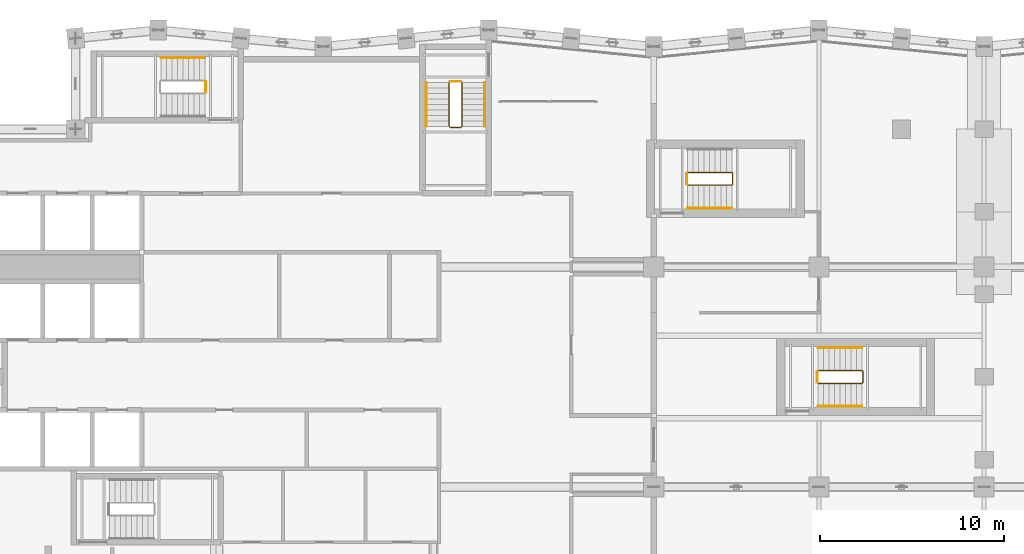
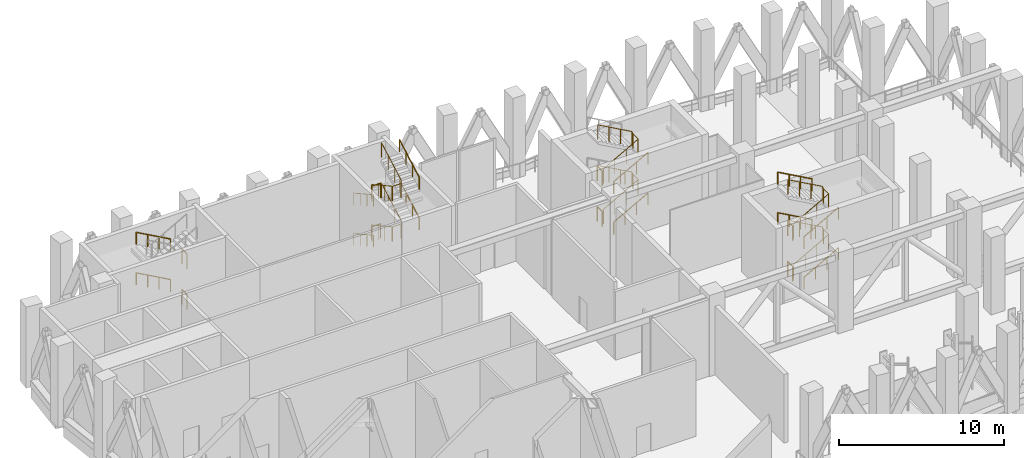
# One storey, part 26 of 28: 26 railings.
"""IFC4 building model written with IfcOpenShell, lengths in metres."""

from ifc_helpers import new_model, si_unit, direction, frame, origin, origin_2d, place, context, subcontext, project, spatial, circle, extrude, material, type_object, element, save


model = new_model("IFC4")

# Units and contexts
model_context = context("Model", 3, precision=1e-05, world=origin(), true_north=direction((0.0, 1.0)))
body_context = subcontext(model_context, "Body", "Model", "MODEL_VIEW")
ifc_project = project(units=[si_unit("LENGTHUNIT", "METRE"), si_unit("AREAUNIT", "SQUARE_METRE"), si_unit("VOLUMEUNIT", "CUBIC_METRE"), si_unit("PLANEANGLEUNIT", "RADIAN"), si_unit("MASSUNIT", "GRAM", prefix="KILO")], contexts=[model_context])

# Site, building, storey
site_placement = place(None, origin())
site = spatial("IfcSite", under=ifc_project, at=site_placement, CompositionType="ELEMENT")
building_placement = place(site_placement, origin())
building = spatial("IfcBuilding", under=site, at=building_placement, Name="Brondeck Convention Tower", CompositionType="ELEMENT")
storey_placement = place(building_placement, frame((0.0, 0.0, 192.800048828125)))
storey = spatial("IfcBuildingStorey", under=building, at=storey_placement, Name="L47", CompositionType="ELEMENT", Elevation=192.800048828125)

# Railings
ifc_material = material(Name="Steel S355", Category="steel")
railing_type_1 = type_object("IfcRailingType", Name="Stair guard 1100", PredefinedType="GUARDRAIL", material=ifc_material)
railing_1_placement = place(storey_placement, frame((24.85009765625, 61.050048828125, 0.16650390625)))
element("IfcRailing", 1, at=railing_1_placement, inside=storey, type_object=railing_type_1, Name="L47 ST-2 stair guard 1", PredefinedType="GUARDRAIL", context=body_context, shape_type="SweptSolid", body=[
    extrude(circle(Radius=0.02392578125, at=origin_2d()), frame((0.0, 0.0, 1.076171875), z_axis=(0.0, -0.87414469321, 0.485665579729), x_axis=(1.0, 0.0, 0.0)), (0.0, 0.0, 1.0), 2.74560546875),
    extrude(circle(Radius=0.02392578125, at=origin_2d()), frame((0.0, -2.400146484375, 2.40966796875), z_axis=(0.707106781187, -0.707106781187, 0.0), x_axis=(0.707106781187, 0.707106781187, 0.0)), (0.0, 0.0, 1.0), 0.0703125),
    extrude(circle(Radius=0.02392578125, at=origin_2d()), frame((0.0498046875, -2.449951171875, 2.40966796875), z_axis=(1.0, 0.0, 0.0), x_axis=(0.0, 1.0, 0.0)), (0.0, 0.0, 1.0), 0.60009765625),
    extrude(circle(Radius=0.02392578125, at=origin_2d()), frame((0.64990234375, -2.449951171875, 2.40966796875), z_axis=(0.276732813696, 0.275382897532, 0.920642824102), x_axis=(-0.705375805398, 0.708833529934, 0.0)), (0.0, 0.0, 1.0), 0.180908203125),
    extrude(circle(Radius=0.02392578125, at=origin_2d()), frame((0.699951171875, -2.400146484375, 2.576171875), z_axis=(0.0, 0.87414469321, 0.485665579729), x_axis=(-1.0, 0.0, 0.0)), (0.0, 0.0, 1.0), 2.74560546875),
    extrude(circle(Radius=0.02099609375, at=origin_2d()), origin(), (0.0, 0.0, 1.0), 1.052001953125),
    extrude(circle(Radius=0.02099609375, at=origin_2d()), frame((0.0, -0.800048828125, 0.444580078125)), (0.0, 0.0, 1.0), 1.052001953125),
    extrude(circle(Radius=0.02099609375, at=origin_2d()), frame((0.0, -1.60009765625, 0.888916015625)), (0.0, 0.0, 1.0), 1.052001953125),
    extrude(circle(Radius=0.02099609375, at=origin_2d()), frame((0.0, -2.400146484375, 1.33349609375)), (0.0, 0.0, 1.0), 1.052001953125),
    extrude(circle(Radius=0.02099609375, at=origin_2d()), frame((0.0498046875, -2.449951171875, 1.33349609375)), (0.0, 0.0, 1.0), 1.052001953125),
    extrude(circle(Radius=0.02099609375, at=origin_2d()), frame((0.64990234375, -2.449951171875, 1.33349609375)), (0.0, 0.0, 1.0), 1.052001953125),
    extrude(circle(Radius=0.02099609375, at=origin_2d()), frame((0.699951171875, -2.400146484375, 1.5)), (0.0, 0.0, 1.0), 1.052001953125),
    extrude(circle(Radius=0.02099609375, at=origin_2d()), frame((0.699951171875, -1.60009765625, 1.944580078125)), (0.0, 0.0, 1.0), 1.052001953125),
    extrude(circle(Radius=0.02099609375, at=origin_2d()), frame((0.699951171875, -0.800048828125, 2.388916015625)), (0.0, 0.0, 1.0), 1.052001953125),
    extrude(circle(Radius=0.02099609375, at=origin_2d()), frame((0.699951171875, 0.0, 2.83349609375)), (0.0, 0.0, 1.0), 1.052001953125),
])
railing_2_placement = place(storey_placement, frame((24.89990234375, 61.10009765625, 3.0)))
element("IfcRailing", 2, at=railing_2_placement, inside=storey, type_object=railing_type_1, Name="L47 ST-2 stair guard 2", PredefinedType="GUARDRAIL", context=body_context, shape_type="SweptSolid", body=[
    extrude(circle(Radius=0.02392578125, at=origin_2d()), frame((0.0, 0.0, 1.076171875), z_axis=(1.0, 0.0, 0.0), x_axis=(0.0, 1.0, 0.0)), (0.0, 0.0, 1.0), 0.60009765625),
    extrude(circle(Radius=0.02099609375, at=origin_2d()), origin(), (0.0, 0.0, 1.0), 1.052001953125),
    extrude(circle(Radius=0.02099609375, at=origin_2d()), frame((0.60009765625, 0.0, 0.0)), (0.0, 0.0, 1.0), 1.052001953125),
])
railing_3_placement = place(storey_placement, frame((24.85009765625, 61.050048828125, 3.16650390625)))
element("IfcRailing", 3, at=railing_3_placement, inside=storey, type_object=railing_type_1, Name="L47 ST-2 stair guard 3", PredefinedType="GUARDRAIL", context=body_context, shape_type="SweptSolid", body=[
    extrude(circle(Radius=0.02392578125, at=origin_2d()), frame((0.0, 0.0, 1.076171875), z_axis=(0.0, -0.87414469321, 0.485665579729), x_axis=(1.0, 0.0, 0.0)), (0.0, 0.0, 1.0), 2.74560546875),
    extrude(circle(Radius=0.02392578125, at=origin_2d()), frame((0.0, -2.400146484375, 2.40966796875), z_axis=(0.707106781187, -0.707106781187, 0.0), x_axis=(0.707106781187, 0.707106781187, 0.0)), (0.0, 0.0, 1.0), 0.0703125),
    extrude(circle(Radius=0.02392578125, at=origin_2d()), frame((0.0498046875, -2.449951171875, 2.40966796875), z_axis=(1.0, 0.0, 0.0), x_axis=(0.0, 1.0, 0.0)), (0.0, 0.0, 1.0), 0.60009765625),
    extrude(circle(Radius=0.02392578125, at=origin_2d()), frame((0.64990234375, -2.449951171875, 2.40966796875), z_axis=(0.276732813696, 0.275382897532, 0.920642824102), x_axis=(-0.705375805398, 0.708833529934, 0.0)), (0.0, 0.0, 1.0), 0.180908203125),
    extrude(circle(Radius=0.02392578125, at=origin_2d()), frame((0.699951171875, -2.400146484375, 2.576171875), z_axis=(0.0, 0.87414469321, 0.485665579729), x_axis=(-1.0, 0.0, 0.0)), (0.0, 0.0, 1.0), 2.74560546875),
    extrude(circle(Radius=0.02099609375, at=origin_2d()), origin(), (0.0, 0.0, 1.0), 1.052001953125),
    extrude(circle(Radius=0.02099609375, at=origin_2d()), frame((0.0, -0.800048828125, 0.444580078125)), (0.0, 0.0, 1.0), 1.052001953125),
    extrude(circle(Radius=0.02099609375, at=origin_2d()), frame((0.0, -1.60009765625, 0.888916015625)), (0.0, 0.0, 1.0), 1.052001953125),
    extrude(circle(Radius=0.02099609375, at=origin_2d()), frame((0.0, -2.400146484375, 1.33349609375)), (0.0, 0.0, 1.0), 1.052001953125),
    extrude(circle(Radius=0.02099609375, at=origin_2d()), frame((0.0498046875, -2.449951171875, 1.33349609375)), (0.0, 0.0, 1.0), 1.052001953125),
    extrude(circle(Radius=0.02099609375, at=origin_2d()), frame((0.64990234375, -2.449951171875, 1.33349609375)), (0.0, 0.0, 1.0), 1.052001953125),
    extrude(circle(Radius=0.02099609375, at=origin_2d()), frame((0.699951171875, -2.400146484375, 1.5)), (0.0, 0.0, 1.0), 1.052001953125),
    extrude(circle(Radius=0.02099609375, at=origin_2d()), frame((0.699951171875, -1.60009765625, 1.944580078125)), (0.0, 0.0, 1.0), 1.052001953125),
    extrude(circle(Radius=0.02099609375, at=origin_2d()), frame((0.699951171875, -0.800048828125, 2.388916015625)), (0.0, 0.0, 1.0), 1.052001953125),
    extrude(circle(Radius=0.02099609375, at=origin_2d()), frame((0.699951171875, 0.0, 2.83349609375)), (0.0, 0.0, 1.0), 1.052001953125),
])
railing_4_placement = place(storey_placement, frame((24.89990234375, 61.10009765625, 0.0)))
element("IfcRailing", 4, at=railing_4_placement, inside=storey, type_object=railing_type_1, Name="L47 ST-2 stair guard 4", PredefinedType="GUARDRAIL", context=body_context, shape_type="SweptSolid", body=[
    extrude(circle(Radius=0.02392578125, at=origin_2d()), frame((0.0, 0.0, 1.076171875), z_axis=(1.0, 0.0, 0.0), x_axis=(0.0, 1.0, 0.0)), (0.0, 0.0, 1.0), 0.60009765625),
    extrude(circle(Radius=0.02099609375, at=origin_2d()), origin(), (0.0, 0.0, 1.0), 1.052001953125),
    extrude(circle(Radius=0.02099609375, at=origin_2d()), frame((0.60009765625, 0.0, 0.0)), (0.0, 0.0, 1.0), 1.052001953125),
])
for number, where, name in (
    (5, (11.60009765625, 61.10009765625, 3.0), "L47 ST-3 stair guard 2"),
    (6, (11.60009765625, 61.10009765625, 0.0), "L47 ST-3 stair guard 4"),
):
    element("IfcRailing", number, at=place(storey_placement, frame(where)), inside=storey, type_object=railing_type_1, Name=name, PredefinedType="GUARDRAIL", context=body_context, shape_type="SweptSolid", body=[
        extrude(circle(Radius=0.02392578125, at=origin_2d()), frame((0.0, 0.0, 1.076171875), z_axis=(0.0, -1.0, 0.0), x_axis=(1.0, 0.0, 0.0)), (0.0, 0.0, 1.0), 0.60009765625),
        extrude(circle(Radius=0.02099609375, at=origin_2d()), origin(), (0.0, 0.0, 1.0), 1.052001953125),
        extrude(circle(Radius=0.02099609375, at=origin_2d()), frame((0.0, -0.60009765625, 0.0)), (0.0, 0.0, 1.0), 1.052001953125),
    ])
railing_5_placement = place(storey_placement, frame((37.85009765625, 55.449951171875, 0.16650390625)))
element("IfcRailing", 7, at=railing_5_placement, inside=storey, type_object=railing_type_1, Name="L47 ST-AE stair guard 1", PredefinedType="GUARDRAIL", context=body_context, shape_type="SweptSolid", body=[
    extrude(circle(Radius=0.02392578125, at=origin_2d()), frame((0.0, 0.0, 1.076171875), z_axis=(0.874123717778, 0.0, 0.485703331282), x_axis=(0.0, 1.0, 0.0)), (0.0, 0.0, 1.0), 2.74560546875),
    extrude(circle(Radius=0.02392578125, at=origin_2d()), frame((2.39990234375, 0.0, 2.40966796875), z_axis=(0.707106781187, 0.707106781187, 0.0), x_axis=(-0.707106781187, 0.707106781187, 0.0)), (0.0, 0.0, 1.0), 0.07080078125),
    extrude(circle(Radius=0.02392578125, at=origin_2d()), frame((2.449951171875, 0.050048828125, 2.40966796875), z_axis=(0.0, 1.0, 0.0), x_axis=(-1.0, 0.0, 0.0)), (0.0, 0.0, 1.0), 0.60009765625),
    extrude(circle(Radius=0.02392578125, at=origin_2d()), frame((2.449951171875, 0.650146484375, 2.40966796875), z_axis=(-0.276732813696, 0.275382897532, 0.920642824102), x_axis=(-0.705375805398, -0.708833529934, 0.0)), (0.0, 0.0, 1.0), 0.180908203125),
    extrude(circle(Radius=0.02392578125, at=origin_2d()), frame((2.39990234375, 0.699951171875, 2.576171875), z_axis=(-0.874123717778, 0.0, 0.485703331282), x_axis=(0.0, -1.0, 0.0)), (0.0, 0.0, 1.0), 2.74560546875),
    extrude(circle(Radius=0.02099609375, at=origin_2d()), origin(), (0.0, 0.0, 1.0), 1.052001953125),
    extrude(circle(Radius=0.02099609375, at=origin_2d()), frame((0.800048828125, 0.0, 0.444580078125)), (0.0, 0.0, 1.0), 1.052001953125),
    extrude(circle(Radius=0.02099609375, at=origin_2d()), frame((1.599853515625, 0.0, 0.888916015625)), (0.0, 0.0, 1.0), 1.052001953125),
    extrude(circle(Radius=0.02099609375, at=origin_2d()), frame((2.39990234375, 0.0, 1.33349609375)), (0.0, 0.0, 1.0), 1.052001953125),
    extrude(circle(Radius=0.02099609375, at=origin_2d()), frame((2.449951171875, 0.050048828125, 1.33349609375)), (0.0, 0.0, 1.0), 1.052001953125),
    extrude(circle(Radius=0.02099609375, at=origin_2d()), frame((2.449951171875, 0.650146484375, 1.33349609375)), (0.0, 0.0, 1.0), 1.052001953125),
    extrude(circle(Radius=0.02099609375, at=origin_2d()), frame((2.39990234375, 0.699951171875, 1.5)), (0.0, 0.0, 1.0), 1.052001953125),
    extrude(circle(Radius=0.02099609375, at=origin_2d()), frame((1.599853515625, 0.699951171875, 1.944580078125)), (0.0, 0.0, 1.0), 1.052001953125),
    extrude(circle(Radius=0.02099609375, at=origin_2d()), frame((0.800048828125, 0.699951171875, 2.388916015625)), (0.0, 0.0, 1.0), 1.052001953125),
    extrude(circle(Radius=0.02099609375, at=origin_2d()), frame((0.0, 0.699951171875, 2.83349609375)), (0.0, 0.0, 1.0), 1.052001953125),
])
railing_6_placement = place(storey_placement, frame((37.800048828125, 55.5, 3.0)))
element("IfcRailing", 8, at=railing_6_placement, inside=storey, type_object=railing_type_1, Name="L47 ST-AE stair guard 2", PredefinedType="GUARDRAIL", context=body_context, shape_type="SweptSolid", body=[
    extrude(circle(Radius=0.02392578125, at=origin_2d()), frame((0.0, 0.0, 1.076171875), z_axis=(0.0, 1.0, 0.0), x_axis=(-1.0, 0.0, 0.0)), (0.0, 0.0, 1.0), 0.60009765625),
    extrude(circle(Radius=0.02099609375, at=origin_2d()), origin(), (0.0, 0.0, 1.0), 1.052001953125),
    extrude(circle(Radius=0.02099609375, at=origin_2d()), frame((0.0, 0.60009765625, 0.0)), (0.0, 0.0, 1.0), 1.052001953125),
])
railing_7_placement = place(storey_placement, frame((37.85009765625, 55.449951171875, 3.16650390625)))
element("IfcRailing", 9, at=railing_7_placement, inside=storey, type_object=railing_type_1, Name="L47 ST-AE stair guard 3", PredefinedType="GUARDRAIL", context=body_context, shape_type="SweptSolid", body=[
    extrude(circle(Radius=0.02392578125, at=origin_2d()), frame((0.0, 0.0, 1.076171875), z_axis=(0.874123717778, 0.0, 0.485703331282), x_axis=(0.0, 1.0, 0.0)), (0.0, 0.0, 1.0), 2.74560546875),
    extrude(circle(Radius=0.02392578125, at=origin_2d()), frame((2.39990234375, 0.0, 2.40966796875), z_axis=(0.707106781187, 0.707106781187, 0.0), x_axis=(-0.707106781187, 0.707106781187, 0.0)), (0.0, 0.0, 1.0), 0.07080078125),
    extrude(circle(Radius=0.02392578125, at=origin_2d()), frame((2.449951171875, 0.050048828125, 2.40966796875), z_axis=(0.0, 1.0, 0.0), x_axis=(-1.0, 0.0, 0.0)), (0.0, 0.0, 1.0), 0.60009765625),
    extrude(circle(Radius=0.02392578125, at=origin_2d()), frame((2.449951171875, 0.650146484375, 2.40966796875), z_axis=(-0.276732813696, 0.275382897532, 0.920642824102), x_axis=(-0.705375805398, -0.708833529934, 0.0)), (0.0, 0.0, 1.0), 0.180908203125),
    extrude(circle(Radius=0.02392578125, at=origin_2d()), frame((2.39990234375, 0.699951171875, 2.576171875), z_axis=(-0.874123717778, 0.0, 0.485703331282), x_axis=(0.0, -1.0, 0.0)), (0.0, 0.0, 1.0), 2.74560546875),
    extrude(circle(Radius=0.02099609375, at=origin_2d()), origin(), (0.0, 0.0, 1.0), 1.052001953125),
    extrude(circle(Radius=0.02099609375, at=origin_2d()), frame((0.800048828125, 0.0, 0.444580078125)), (0.0, 0.0, 1.0), 1.052001953125),
    extrude(circle(Radius=0.02099609375, at=origin_2d()), frame((1.599853515625, 0.0, 0.888916015625)), (0.0, 0.0, 1.0), 1.052001953125),
    extrude(circle(Radius=0.02099609375, at=origin_2d()), frame((2.39990234375, 0.0, 1.33349609375)), (0.0, 0.0, 1.0), 1.052001953125),
    extrude(circle(Radius=0.02099609375, at=origin_2d()), frame((2.449951171875, 0.050048828125, 1.33349609375)), (0.0, 0.0, 1.0), 1.052001953125),
    extrude(circle(Radius=0.02099609375, at=origin_2d()), frame((2.449951171875, 0.650146484375, 1.33349609375)), (0.0, 0.0, 1.0), 1.052001953125),
    extrude(circle(Radius=0.02099609375, at=origin_2d()), frame((2.39990234375, 0.699951171875, 1.5)), (0.0, 0.0, 1.0), 1.052001953125),
    extrude(circle(Radius=0.02099609375, at=origin_2d()), frame((1.599853515625, 0.699951171875, 1.944580078125)), (0.0, 0.0, 1.0), 1.052001953125),
    extrude(circle(Radius=0.02099609375, at=origin_2d()), frame((0.800048828125, 0.699951171875, 2.388916015625)), (0.0, 0.0, 1.0), 1.052001953125),
    extrude(circle(Radius=0.02099609375, at=origin_2d()), frame((0.0, 0.699951171875, 2.83349609375)), (0.0, 0.0, 1.0), 1.052001953125),
])
railing_8_placement = place(storey_placement, frame((37.800048828125, 55.5, 0.0)))
element("IfcRailing", 10, at=railing_8_placement, inside=storey, type_object=railing_type_1, Name="L47 ST-AE stair guard 4", PredefinedType="GUARDRAIL", context=body_context, shape_type="SweptSolid", body=[
    extrude(circle(Radius=0.02392578125, at=origin_2d()), frame((0.0, 0.0, 1.076171875), z_axis=(0.0, 1.0, 0.0), x_axis=(-1.0, 0.0, 0.0)), (0.0, 0.0, 1.0), 0.60009765625),
    extrude(circle(Radius=0.02099609375, at=origin_2d()), origin(), (0.0, 0.0, 1.0), 1.052001953125),
    extrude(circle(Radius=0.02099609375, at=origin_2d()), frame((0.0, 0.60009765625, 0.0)), (0.0, 0.0, 1.0), 1.052001953125),
])
railing_9_placement = place(storey_placement, frame((44.949951171875, 44.64990234375, 0.16650390625)))
element("IfcRailing", 11, at=railing_9_placement, inside=storey, type_object=railing_type_1, Name="L47 ST-AF stair guard 1", PredefinedType="GUARDRAIL", context=body_context, shape_type="SweptSolid", body=[
    extrude(circle(Radius=0.02392578125, at=origin_2d()), frame((0.0, 0.0, 1.076171875), z_axis=(0.87414469321, 0.0, 0.485665579729), x_axis=(0.0, 1.0, 0.0)), (0.0, 0.0, 1.0), 2.74560546875),
    extrude(circle(Radius=0.02392578125, at=origin_2d()), frame((2.400146484375, 0.0, 2.40966796875), z_axis=(0.705375805398, 0.708833529934, 0.0), x_axis=(-0.708833529934, 0.705375805398, 0.0)), (0.0, 0.0, 1.0), 0.070556640625),
    extrude(circle(Radius=0.02392578125, at=origin_2d()), frame((2.449951171875, 0.050048828125, 2.40966796875), z_axis=(0.0, 1.0, 0.0), x_axis=(-1.0, 0.0, 0.0)), (0.0, 0.0, 1.0), 0.60009765625),
    extrude(circle(Radius=0.02392578125, at=origin_2d()), frame((2.449951171875, 0.650146484375, 2.40966796875), z_axis=(-0.275382897532, 0.276732813696, 0.920642824102), x_axis=(-0.708833529934, -0.705375805398, 0.0)), (0.0, 0.0, 1.0), 0.180908203125),
    extrude(circle(Radius=0.02392578125, at=origin_2d()), frame((2.400146484375, 0.7001953125, 2.576171875), z_axis=(-0.87414469321, 0.0, 0.485665579729), x_axis=(0.0, -1.0, 0.0)), (0.0, 0.0, 1.0), 2.74560546875),
    extrude(circle(Radius=0.02099609375, at=origin_2d()), origin(), (0.0, 0.0, 1.0), 1.052001953125),
    extrude(circle(Radius=0.02099609375, at=origin_2d()), frame((0.800048828125, 0.0, 0.444580078125)), (0.0, 0.0, 1.0), 1.052001953125),
    extrude(circle(Radius=0.02099609375, at=origin_2d()), frame((1.60009765625, 0.0, 0.888916015625)), (0.0, 0.0, 1.0), 1.052001953125),
    extrude(circle(Radius=0.02099609375, at=origin_2d()), frame((2.400146484375, 0.0, 1.33349609375)), (0.0, 0.0, 1.0), 1.052001953125),
    extrude(circle(Radius=0.02099609375, at=origin_2d()), frame((2.449951171875, 0.050048828125, 1.33349609375)), (0.0, 0.0, 1.0), 1.052001953125),
    extrude(circle(Radius=0.02099609375, at=origin_2d()), frame((2.449951171875, 0.650146484375, 1.33349609375)), (0.0, 0.0, 1.0), 1.052001953125),
    extrude(circle(Radius=0.02099609375, at=origin_2d()), frame((2.400146484375, 0.7001953125, 1.5)), (0.0, 0.0, 1.0), 1.052001953125),
    extrude(circle(Radius=0.02099609375, at=origin_2d()), frame((1.60009765625, 0.7001953125, 1.944580078125)), (0.0, 0.0, 1.0), 1.052001953125),
    extrude(circle(Radius=0.02099609375, at=origin_2d()), frame((0.800048828125, 0.7001953125, 2.388916015625)), (0.0, 0.0, 1.0), 1.052001953125),
    extrude(circle(Radius=0.02099609375, at=origin_2d()), frame((0.0, 0.7001953125, 2.83349609375)), (0.0, 0.0, 1.0), 1.052001953125),
])
railing_10_placement = place(storey_placement, frame((44.89990234375, 44.699951171875, 3.0)))
element("IfcRailing", 12, at=railing_10_placement, inside=storey, type_object=railing_type_1, Name="L47 ST-AF stair guard 2", PredefinedType="GUARDRAIL", context=body_context, shape_type="SweptSolid", body=[
    extrude(circle(Radius=0.02392578125, at=origin_2d()), frame((0.0, 0.0, 1.076171875), z_axis=(0.0, 1.0, 0.0), x_axis=(-1.0, 0.0, 0.0)), (0.0, 0.0, 1.0), 0.60009765625),
    extrude(circle(Radius=0.02099609375, at=origin_2d()), origin(), (0.0, 0.0, 1.0), 1.052001953125),
    extrude(circle(Radius=0.02099609375, at=origin_2d()), frame((0.0, 0.60009765625, 0.0)), (0.0, 0.0, 1.0), 1.052001953125),
])
railing_11_placement = place(storey_placement, frame((44.949951171875, 44.64990234375, 3.16650390625)))
element("IfcRailing", 13, at=railing_11_placement, inside=storey, type_object=railing_type_1, Name="L47 ST-AF stair guard 3", PredefinedType="GUARDRAIL", context=body_context, shape_type="SweptSolid", body=[
    extrude(circle(Radius=0.02392578125, at=origin_2d()), frame((0.0, 0.0, 1.076171875), z_axis=(0.87414469321, 0.0, 0.485665579729), x_axis=(0.0, 1.0, 0.0)), (0.0, 0.0, 1.0), 2.74560546875),
    extrude(circle(Radius=0.02392578125, at=origin_2d()), frame((2.400146484375, 0.0, 2.40966796875), z_axis=(0.705375805398, 0.708833529934, 0.0), x_axis=(-0.708833529934, 0.705375805398, 0.0)), (0.0, 0.0, 1.0), 0.070556640625),
    extrude(circle(Radius=0.02392578125, at=origin_2d()), frame((2.449951171875, 0.050048828125, 2.40966796875), z_axis=(0.0, 1.0, 0.0), x_axis=(-1.0, 0.0, 0.0)), (0.0, 0.0, 1.0), 0.60009765625),
    extrude(circle(Radius=0.02392578125, at=origin_2d()), frame((2.449951171875, 0.650146484375, 2.40966796875), z_axis=(-0.275382897532, 0.276732813696, 0.920642824102), x_axis=(-0.708833529934, -0.705375805398, 0.0)), (0.0, 0.0, 1.0), 0.180908203125),
    extrude(circle(Radius=0.02392578125, at=origin_2d()), frame((2.400146484375, 0.7001953125, 2.576171875), z_axis=(-0.87414469321, 0.0, 0.485665579729), x_axis=(0.0, -1.0, 0.0)), (0.0, 0.0, 1.0), 2.74560546875),
    extrude(circle(Radius=0.02099609375, at=origin_2d()), origin(), (0.0, 0.0, 1.0), 1.052001953125),
    extrude(circle(Radius=0.02099609375, at=origin_2d()), frame((0.800048828125, 0.0, 0.444580078125)), (0.0, 0.0, 1.0), 1.052001953125),
    extrude(circle(Radius=0.02099609375, at=origin_2d()), frame((1.60009765625, 0.0, 0.888916015625)), (0.0, 0.0, 1.0), 1.052001953125),
    extrude(circle(Radius=0.02099609375, at=origin_2d()), frame((2.400146484375, 0.0, 1.33349609375)), (0.0, 0.0, 1.0), 1.052001953125),
    extrude(circle(Radius=0.02099609375, at=origin_2d()), frame((2.449951171875, 0.050048828125, 1.33349609375)), (0.0, 0.0, 1.0), 1.052001953125),
    extrude(circle(Radius=0.02099609375, at=origin_2d()), frame((2.449951171875, 0.650146484375, 1.33349609375)), (0.0, 0.0, 1.0), 1.052001953125),
    extrude(circle(Radius=0.02099609375, at=origin_2d()), frame((2.400146484375, 0.7001953125, 1.5)), (0.0, 0.0, 1.0), 1.052001953125),
    extrude(circle(Radius=0.02099609375, at=origin_2d()), frame((1.60009765625, 0.7001953125, 1.944580078125)), (0.0, 0.0, 1.0), 1.052001953125),
    extrude(circle(Radius=0.02099609375, at=origin_2d()), frame((0.800048828125, 0.7001953125, 2.388916015625)), (0.0, 0.0, 1.0), 1.052001953125),
    extrude(circle(Radius=0.02099609375, at=origin_2d()), frame((0.0, 0.7001953125, 2.83349609375)), (0.0, 0.0, 1.0), 1.052001953125),
])
railing_12_placement = place(storey_placement, frame((44.89990234375, 44.699951171875, 0.0)))
element("IfcRailing", 14, at=railing_12_placement, inside=storey, type_object=railing_type_1, Name="L47 ST-AF stair guard 4", PredefinedType="GUARDRAIL", context=body_context, shape_type="SweptSolid", body=[
    extrude(circle(Radius=0.02392578125, at=origin_2d()), frame((0.0, 0.0, 1.076171875), z_axis=(0.0, 1.0, 0.0), x_axis=(-1.0, 0.0, 0.0)), (0.0, 0.0, 1.0), 0.60009765625),
    extrude(circle(Radius=0.02099609375, at=origin_2d()), origin(), (0.0, 0.0, 1.0), 1.052001953125),
    extrude(circle(Radius=0.02099609375, at=origin_2d()), frame((0.0, 0.60009765625, 0.0)), (0.0, 0.0, 1.0), 1.052001953125),
])
railing_type_2 = type_object("IfcRailingType", Name="Stair handrail", PredefinedType="HANDRAIL", material=ifc_material)
railing_13_placement = place(storey_placement, frame((23.60009765625, 61.050048828125, 0.16650390625)))
element("IfcRailing", 15, at=railing_13_placement, inside=storey, type_object=railing_type_2, Name="L47 ST-2 stair handrail 1", PredefinedType="HANDRAIL", context=body_context, shape_type="SweptSolid", body=[
    extrude(circle(Radius=0.02392578125, at=origin_2d()), frame((0.0, 0.0, 0.8759765625), z_axis=(0.0, -0.87414469321, 0.485665579729), x_axis=(1.0, 0.0, 0.0)), (0.0, 0.0, 1.0), 2.74560546875),
    extrude(circle(Radius=0.02099609375, at=origin_2d()), origin(), (0.0, 0.0, 1.0), 0.851806640625),
    extrude(circle(Radius=0.02099609375, at=origin_2d()), frame((0.0, -0.800048828125, 0.444580078125)), (0.0, 0.0, 1.0), 0.851806640625),
    extrude(circle(Radius=0.02099609375, at=origin_2d()), frame((0.0, -1.60009765625, 0.888916015625)), (0.0, 0.0, 1.0), 0.851806640625),
    extrude(circle(Radius=0.02099609375, at=origin_2d()), frame((0.0, -2.400146484375, 1.33349609375)), (0.0, 0.0, 1.0), 0.851806640625),
])
railing_14_placement = place(storey_placement, frame((26.800048828125, 58.64990234375, 1.66650390625)))
element("IfcRailing", 16, at=railing_14_placement, inside=storey, type_object=railing_type_2, Name="L47 ST-2 stair handrail 2", PredefinedType="HANDRAIL", context=body_context, shape_type="SweptSolid", body=[
    extrude(circle(Radius=0.02392578125, at=origin_2d()), frame((0.0, 0.0, 0.8759765625), z_axis=(0.0, 0.87414469321, 0.485665579729), x_axis=(-1.0, 0.0, 0.0)), (0.0, 0.0, 1.0), 2.74560546875),
    extrude(circle(Radius=0.02099609375, at=origin_2d()), origin(), (0.0, 0.0, 1.0), 0.851806640625),
    extrude(circle(Radius=0.02099609375, at=origin_2d()), frame((0.0, 0.800048828125, 0.444580078125)), (0.0, 0.0, 1.0), 0.851806640625),
    extrude(circle(Radius=0.02099609375, at=origin_2d()), frame((0.0, 1.60009765625, 0.888916015625)), (0.0, 0.0, 1.0), 0.851806640625),
    extrude(circle(Radius=0.02099609375, at=origin_2d()), frame((0.0, 2.400146484375, 1.33349609375)), (0.0, 0.0, 1.0), 0.851806640625),
])
railing_15_placement = place(storey_placement, frame((23.60009765625, 61.050048828125, 3.16650390625)))
element("IfcRailing", 17, at=railing_15_placement, inside=storey, type_object=railing_type_2, Name="L47 ST-2 stair handrail 3", PredefinedType="HANDRAIL", context=body_context, shape_type="SweptSolid", body=[
    extrude(circle(Radius=0.02392578125, at=origin_2d()), frame((0.0, 0.0, 0.8759765625), z_axis=(0.0, -0.87414469321, 0.485665579729), x_axis=(1.0, 0.0, 0.0)), (0.0, 0.0, 1.0), 2.74560546875),
    extrude(circle(Radius=0.02099609375, at=origin_2d()), origin(), (0.0, 0.0, 1.0), 0.851806640625),
    extrude(circle(Radius=0.02099609375, at=origin_2d()), frame((0.0, -0.800048828125, 0.444580078125)), (0.0, 0.0, 1.0), 0.851806640625),
    extrude(circle(Radius=0.02099609375, at=origin_2d()), frame((0.0, -1.60009765625, 0.888916015625)), (0.0, 0.0, 1.0), 0.851806640625),
    extrude(circle(Radius=0.02099609375, at=origin_2d()), frame((0.0, -2.400146484375, 1.33349609375)), (0.0, 0.0, 1.0), 0.851806640625),
])
railing_16_placement = place(storey_placement, frame((26.800048828125, 58.64990234375, 4.66650390625)))
element("IfcRailing", 18, at=railing_16_placement, inside=storey, type_object=railing_type_2, Name="L47 ST-2 stair handrail 4", PredefinedType="HANDRAIL", context=body_context, shape_type="SweptSolid", body=[
    extrude(circle(Radius=0.02392578125, at=origin_2d()), frame((0.0, 0.0, 0.8759765625), z_axis=(0.0, 0.87414469321, 0.485665579729), x_axis=(-1.0, 0.0, 0.0)), (0.0, 0.0, 1.0), 2.74560546875),
    extrude(circle(Radius=0.02099609375, at=origin_2d()), origin(), (0.0, 0.0, 1.0), 0.851806640625),
    extrude(circle(Radius=0.02099609375, at=origin_2d()), frame((0.0, 0.800048828125, 0.444580078125)), (0.0, 0.0, 1.0), 0.851806640625),
    extrude(circle(Radius=0.02099609375, at=origin_2d()), frame((0.0, 1.60009765625, 0.888916015625)), (0.0, 0.0, 1.0), 0.851806640625),
    extrude(circle(Radius=0.02099609375, at=origin_2d()), frame((0.0, 2.400146484375, 1.33349609375)), (0.0, 0.0, 1.0), 0.851806640625),
])
for number, where, name in (
    (19, (11.550048828125, 62.39990234375, 0.16650390625), "L47 ST-3 stair handrail 1"),
    (20, (11.550048828125, 62.39990234375, 3.16650390625), "L47 ST-3 stair handrail 3"),
):
    element("IfcRailing", number, at=place(storey_placement, frame(where)), inside=storey, type_object=railing_type_2, Name=name, PredefinedType="HANDRAIL", context=body_context, shape_type="SweptSolid", body=[
        extrude(circle(Radius=0.02392578125, at=origin_2d()), frame((0.0, 0.0, 0.8759765625), z_axis=(-0.87414469321, 0.0, 0.485665579729), x_axis=(0.0, -1.0, 0.0)), (0.0, 0.0, 1.0), 2.74560546875),
        extrude(circle(Radius=0.02099609375, at=origin_2d()), origin(), (0.0, 0.0, 1.0), 0.851806640625),
        extrude(circle(Radius=0.02099609375, at=origin_2d()), frame((-0.800048828125, 0.0, 0.444580078125)), (0.0, 0.0, 1.0), 0.851806640625),
        extrude(circle(Radius=0.02099609375, at=origin_2d()), frame((-1.60009765625, 0.0, 0.888916015625)), (0.0, 0.0, 1.0), 0.851806640625),
        extrude(circle(Radius=0.02099609375, at=origin_2d()), frame((-2.400146484375, 0.0, 1.33349609375)), (0.0, 0.0, 1.0), 0.851806640625),
    ])
for number, where, name in (
    (21, (37.85009765625, 54.199951171875, 0.16650390625), "L47 ST-AE stair handrail 1"),
    (22, (37.85009765625, 54.199951171875, 3.16650390625), "L47 ST-AE stair handrail 3"),
):
    element("IfcRailing", number, at=place(storey_placement, frame(where)), inside=storey, type_object=railing_type_2, Name=name, PredefinedType="HANDRAIL", context=body_context, shape_type="SweptSolid", body=[
        extrude(circle(Radius=0.02392578125, at=origin_2d()), frame((0.0, 0.0, 0.8759765625), z_axis=(0.874123717778, 0.0, 0.485703331282), x_axis=(0.0, 1.0, 0.0)), (0.0, 0.0, 1.0), 2.74560546875),
        extrude(circle(Radius=0.02099609375, at=origin_2d()), origin(), (0.0, 0.0, 1.0), 0.851806640625),
        extrude(circle(Radius=0.02099609375, at=origin_2d()), frame((0.800048828125, 0.0, 0.444580078125)), (0.0, 0.0, 1.0), 0.851806640625),
        extrude(circle(Radius=0.02099609375, at=origin_2d()), frame((1.599853515625, 0.0, 0.888916015625)), (0.0, 0.0, 1.0), 0.851806640625),
        extrude(circle(Radius=0.02099609375, at=origin_2d()), frame((2.39990234375, 0.0, 1.33349609375)), (0.0, 0.0, 1.0), 0.851806640625),
    ])
railing_17_placement = place(storey_placement, frame((44.949951171875, 43.39990234375, 0.16650390625)))
element("IfcRailing", 23, at=railing_17_placement, inside=storey, type_object=railing_type_2, Name="L47 ST-AF stair handrail 1", PredefinedType="HANDRAIL", context=body_context, shape_type="SweptSolid", body=[
    extrude(circle(Radius=0.02392578125, at=origin_2d()), frame((0.0, 0.0, 0.8759765625), z_axis=(0.87414469321, 0.0, 0.485665579729), x_axis=(0.0, 1.0, 0.0)), (0.0, 0.0, 1.0), 2.74560546875),
    extrude(circle(Radius=0.02099609375, at=origin_2d()), origin(), (0.0, 0.0, 1.0), 0.851806640625),
    extrude(circle(Radius=0.02099609375, at=origin_2d()), frame((0.800048828125, 0.0, 0.444580078125)), (0.0, 0.0, 1.0), 0.851806640625),
    extrude(circle(Radius=0.02099609375, at=origin_2d()), frame((1.60009765625, 0.0, 0.888916015625)), (0.0, 0.0, 1.0), 0.851806640625),
    extrude(circle(Radius=0.02099609375, at=origin_2d()), frame((2.400146484375, 0.0, 1.33349609375)), (0.0, 0.0, 1.0), 0.851806640625),
])
railing_18_placement = place(storey_placement, frame((47.35009765625, 46.60009765625, 1.66650390625)))
element("IfcRailing", 24, at=railing_18_placement, inside=storey, type_object=railing_type_2, Name="L47 ST-AF stair handrail 2", PredefinedType="HANDRAIL", context=body_context, shape_type="SweptSolid", body=[
    extrude(circle(Radius=0.02392578125, at=origin_2d()), frame((0.0, 0.0, 0.8759765625), z_axis=(-0.87414469321, 0.0, 0.485665579729), x_axis=(0.0, -1.0, 0.0)), (0.0, 0.0, 1.0), 2.74560546875),
    extrude(circle(Radius=0.02099609375, at=origin_2d()), origin(), (0.0, 0.0, 1.0), 0.851806640625),
    extrude(circle(Radius=0.02099609375, at=origin_2d()), frame((-0.800048828125, 0.0, 0.444580078125)), (0.0, 0.0, 1.0), 0.851806640625),
    extrude(circle(Radius=0.02099609375, at=origin_2d()), frame((-1.60009765625, 0.0, 0.888916015625)), (0.0, 0.0, 1.0), 0.851806640625),
    extrude(circle(Radius=0.02099609375, at=origin_2d()), frame((-2.400146484375, 0.0, 1.33349609375)), (0.0, 0.0, 1.0), 0.851806640625),
])
railing_19_placement = place(storey_placement, frame((44.949951171875, 43.39990234375, 3.16650390625)))
element("IfcRailing", 25, at=railing_19_placement, inside=storey, type_object=railing_type_2, Name="L47 ST-AF stair handrail 3", PredefinedType="HANDRAIL", context=body_context, shape_type="SweptSolid", body=[
    extrude(circle(Radius=0.02392578125, at=origin_2d()), frame((0.0, 0.0, 0.8759765625), z_axis=(0.87414469321, 0.0, 0.485665579729), x_axis=(0.0, 1.0, 0.0)), (0.0, 0.0, 1.0), 2.74560546875),
    extrude(circle(Radius=0.02099609375, at=origin_2d()), origin(), (0.0, 0.0, 1.0), 0.851806640625),
    extrude(circle(Radius=0.02099609375, at=origin_2d()), frame((0.800048828125, 0.0, 0.444580078125)), (0.0, 0.0, 1.0), 0.851806640625),
    extrude(circle(Radius=0.02099609375, at=origin_2d()), frame((1.60009765625, 0.0, 0.888916015625)), (0.0, 0.0, 1.0), 0.851806640625),
    extrude(circle(Radius=0.02099609375, at=origin_2d()), frame((2.400146484375, 0.0, 1.33349609375)), (0.0, 0.0, 1.0), 0.851806640625),
])
railing_20_placement = place(storey_placement, frame((47.35009765625, 46.60009765625, 4.66650390625)))
element("IfcRailing", 26, at=railing_20_placement, inside=storey, type_object=railing_type_2, Name="L47 ST-AF stair handrail 4", PredefinedType="HANDRAIL", context=body_context, shape_type="SweptSolid", body=[
    extrude(circle(Radius=0.02392578125, at=origin_2d()), frame((0.0, 0.0, 0.8759765625), z_axis=(-0.87414469321, 0.0, 0.485665579729), x_axis=(0.0, -1.0, 0.0)), (0.0, 0.0, 1.0), 2.74560546875),
    extrude(circle(Radius=0.02099609375, at=origin_2d()), origin(), (0.0, 0.0, 1.0), 0.851806640625),
    extrude(circle(Radius=0.02099609375, at=origin_2d()), frame((-0.800048828125, 0.0, 0.444580078125)), (0.0, 0.0, 1.0), 0.851806640625),
    extrude(circle(Radius=0.02099609375, at=origin_2d()), frame((-1.60009765625, 0.0, 0.888916015625)), (0.0, 0.0, 1.0), 0.851806640625),
    extrude(circle(Radius=0.02099609375, at=origin_2d()), frame((-2.400146484375, 0.0, 1.33349609375)), (0.0, 0.0, 1.0), 0.851806640625),
])

save(model, "model.ifc")
